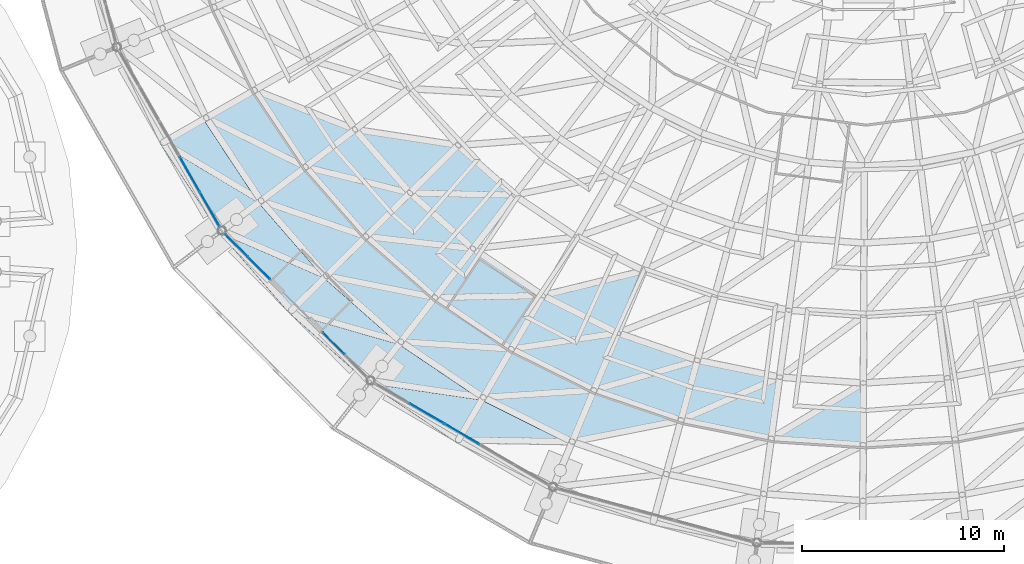
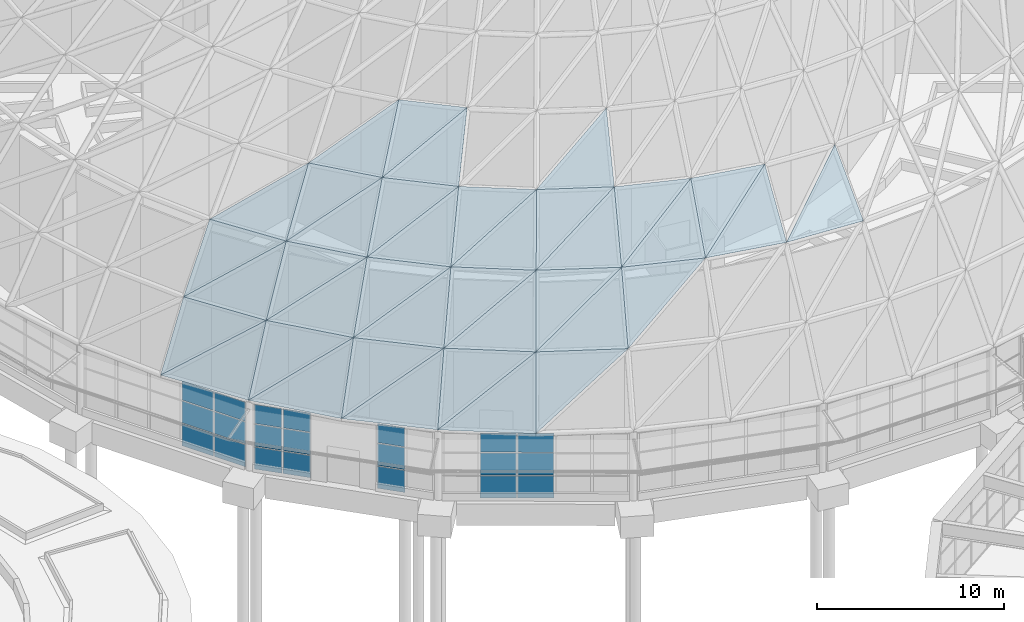
# One storey, part 134 of 226: 59 plates, 4 elements without a shape of their own.
"""IFC4 building model written with IfcOpenShell, lengths in metres."""

from ifc_helpers import new_model, si_unit, direction, frame, origin, origin_2d, place, context, subcontext, project, spatial, polyline, rectangle, outline, extrude, material, layer, layer_set, type_object, element, aggregate, save


model = new_model("IFC4")

# Units and contexts
model_context = context("Model", 3, precision=1e-05, world=origin(), true_north=direction((0.0, 1.0)))
body_context = subcontext(model_context, "Body", "Model", "MODEL_VIEW")
ifc_project = project(units=[si_unit("LENGTHUNIT", "METRE"), si_unit("AREAUNIT", "SQUARE_METRE"), si_unit("VOLUMEUNIT", "CUBIC_METRE"), si_unit("PLANEANGLEUNIT", "RADIAN"), si_unit("MASSUNIT", "GRAM", prefix="KILO")], contexts=[model_context])

# Site, building, storey
site_placement = place(None, origin())
site = spatial("IfcSite", under=ifc_project, at=site_placement, CompositionType="ELEMENT")
building_placement = place(site_placement, origin())
building = spatial("IfcBuilding", under=site, at=building_placement, Name="Ceibo Conservatory and Research Tower", CompositionType="ELEMENT")
storey_placement = place(building_placement, origin())
storey = spatial("IfcBuildingStorey", under=building, at=storey_placement, Name="L00", CompositionType="ELEMENT", Elevation=0.0)

# Curtain wall, plates
ifc_material_1 = material(Name="Aluminium and glass", Category="aluminium")
curtain_wall_type = type_object("IfcCurtainWallType", Name="Drum curtain wall", PredefinedType="NOTDEFINED", material=ifc_material_1)
curtain_wall_1_placement = place(storey_placement, origin())
curtain_wall_1 = element("IfcCurtainWall", 1, at=curtain_wall_1_placement, inside=storey, type_object=curtain_wall_type, Name="Drum curtain wall A-CW14", PredefinedType="NOTDEFINED")
ifc_material_2 = material(Name="Laminated glass", Category="glass")
ifc_layer_1 = layer(ifc_material_2, 0.028076171875)
ifc_layer_set_1 = layer_set([ifc_layer_1], Name="Laminated glass")
plate_type_1 = type_object("IfcPlateType", Name="Drum glass 28", PredefinedType="CURTAIN_PANEL", material=ifc_layer_set_1)
plate_1_placement = place(storey_placement, frame((122.565185546875, 86.57861328125, 0.06005859375), z_axis=(0.0, 0.0, 1.0), x_axis=(0.49621649228, -0.868198821002, 0.0)))
plate_1 = element("IfcPlate", 2, at=plate_1_placement, type_object=plate_type_1, Name="A-CW14 panel 4.1", PredefinedType="CURTAIN_PANEL", context=body_context, shape_type="SweptSolid", body=[
    extrude(rectangle(XDim=1.947021484375, YDim=0.028076171875, at=origin_2d()), origin(), (0.0, 0.0, 1.0), 1.43994140625),
])
plate_2_placement = place(storey_placement, frame((122.565185546875, 86.57861328125, 1.56005859375), z_axis=(0.0, 0.0, 1.0), x_axis=(0.49621649228, -0.868198821002, 0.0)))
plate_2 = element("IfcPlate", 3, at=plate_2_placement, type_object=plate_type_1, Name="A-CW14 panel 4.2", PredefinedType="CURTAIN_PANEL", context=body_context, shape_type="SweptSolid", body=[
    extrude(rectangle(XDim=1.947021484375, YDim=0.028076171875, at=origin_2d()), origin(), (0.0, 0.0, 1.0), 1.425048828125),
])
plate_3_placement = place(storey_placement, frame((122.565185546875, 86.57861328125, 3.044921875), z_axis=(0.0, 0.0, 1.0), x_axis=(0.49621649228, -0.868198821002, 0.0)))
plate_3 = element("IfcPlate", 4, at=plate_3_placement, type_object=plate_type_1, Name="A-CW14 panel 4.3", PredefinedType="CURTAIN_PANEL", context=body_context, shape_type="SweptSolid", body=[
    extrude(rectangle(XDim=1.947021484375, YDim=0.028076171875, at=origin_2d()), origin(), (0.0, 0.0, 1.0), 1.233154296875),
])
plate_4_placement = place(storey_placement, frame((123.5537109375, 84.848876953125, 0.06005859375), z_axis=(0.0, 0.0, 1.0), x_axis=(0.49621649228, -0.868198821002, 0.0)))
plate_4 = element("IfcPlate", 5, at=plate_4_placement, type_object=plate_type_1, Name="A-CW14 panel 5.1", PredefinedType="CURTAIN_PANEL", context=body_context, shape_type="SweptSolid", body=[
    extrude(rectangle(XDim=1.917236328125, YDim=0.028076171875, at=origin_2d()), origin(), (0.0, 0.0, 1.0), 1.43994140625),
])
plate_5_placement = place(storey_placement, frame((123.5537109375, 84.848876953125, 1.56005859375), z_axis=(0.0, 0.0, 1.0), x_axis=(0.49621649228, -0.868198821002, 0.0)))
plate_5 = element("IfcPlate", 6, at=plate_5_placement, type_object=plate_type_1, Name="A-CW14 panel 5.2", PredefinedType="CURTAIN_PANEL", context=body_context, shape_type="SweptSolid", body=[
    extrude(rectangle(XDim=1.917236328125, YDim=0.028076171875, at=origin_2d()), origin(), (0.0, 0.0, 1.0), 1.425048828125),
])
plate_6_placement = place(storey_placement, frame((123.5537109375, 84.848876953125, 3.044921875), z_axis=(0.0, 0.0, 1.0), x_axis=(0.49621649228, -0.868198821002, 0.0)))
plate_6 = element("IfcPlate", 7, at=plate_6_placement, type_object=plate_type_1, Name="A-CW14 panel 5.3", PredefinedType="CURTAIN_PANEL", context=body_context, shape_type="SweptSolid", body=[
    extrude(rectangle(XDim=1.917236328125, YDim=0.028076171875, at=origin_2d()), origin(), (0.0, 0.0, 1.0), 1.233154296875),
])
aggregate(curtain_wall_1, [plate_1, plate_2, plate_3, plate_4, plate_5, plate_6])

curtain_wall_2_placement = place(storey_placement, origin())
curtain_wall_2 = element("IfcCurtainWall", 8, at=curtain_wall_2_placement, inside=storey, type_object=curtain_wall_type, Name="Drum curtain wall A-CW15W", PredefinedType="NOTDEFINED")
plate_7_placement = place(storey_placement, frame((124.8798828125, 83.06201171875, 0.06005859375), z_axis=(0.0, 0.0, 1.0), x_axis=(0.704014749779, -0.71018535052, 0.0)))
plate_7 = element("IfcPlate", 9, at=plate_7_placement, type_object=plate_type_1, Name="A-CW15W panel 1.1", PredefinedType="CURTAIN_PANEL", context=body_context, shape_type="SweptSolid", body=[
    extrude(rectangle(XDim=1.51904296875, YDim=0.028076171875, at=origin_2d()), origin(), (0.0, 0.0, 1.0), 1.43994140625),
])
plate_8_placement = place(storey_placement, frame((124.8798828125, 83.06201171875, 1.56005859375), z_axis=(0.0, 0.0, 1.0), x_axis=(0.704014749779, -0.71018535052, 0.0)))
plate_8 = element("IfcPlate", 10, at=plate_8_placement, type_object=plate_type_1, Name="A-CW15W panel 1.2", PredefinedType="CURTAIN_PANEL", context=body_context, shape_type="SweptSolid", body=[
    extrude(rectangle(XDim=1.51904296875, YDim=0.028076171875, at=origin_2d()), origin(), (0.0, 0.0, 1.0), 1.425048828125),
])
plate_9_placement = place(storey_placement, frame((124.8798828125, 83.06201171875, 3.044921875), z_axis=(0.0, 0.0, 1.0), x_axis=(0.704014749779, -0.71018535052, 0.0)))
plate_9 = element("IfcPlate", 11, at=plate_9_placement, type_object=plate_type_1, Name="A-CW15W panel 1.3", PredefinedType="CURTAIN_PANEL", context=body_context, shape_type="SweptSolid", body=[
    extrude(rectangle(XDim=1.51904296875, YDim=0.028076171875, at=origin_2d()), origin(), (0.0, 0.0, 1.0), 1.233154296875),
])
plate_10_placement = place(storey_placement, frame((125.991455078125, 81.940673828125, 0.06005859375), z_axis=(0.0, 0.0, 1.0), x_axis=(0.704014749779, -0.71018535052, 0.0)))
plate_10 = element("IfcPlate", 12, at=plate_10_placement, type_object=plate_type_1, Name="A-CW15W panel 2.1", PredefinedType="CURTAIN_PANEL", context=body_context, shape_type="SweptSolid", body=[
    extrude(rectangle(XDim=1.51904296875, YDim=0.028076171875, at=origin_2d()), origin(), (0.0, 0.0, 1.0), 1.43994140625),
])
plate_11_placement = place(storey_placement, frame((125.991455078125, 81.940673828125, 1.56005859375), z_axis=(0.0, 0.0, 1.0), x_axis=(0.704014749779, -0.71018535052, 0.0)))
plate_11 = element("IfcPlate", 13, at=plate_11_placement, type_object=plate_type_1, Name="A-CW15W panel 2.2", PredefinedType="CURTAIN_PANEL", context=body_context, shape_type="SweptSolid", body=[
    extrude(rectangle(XDim=1.51904296875, YDim=0.028076171875, at=origin_2d()), origin(), (0.0, 0.0, 1.0), 1.425048828125),
])
plate_12_placement = place(storey_placement, frame((125.991455078125, 81.940673828125, 3.044921875), z_axis=(0.0, 0.0, 1.0), x_axis=(0.704014749779, -0.71018535052, 0.0)))
plate_12 = element("IfcPlate", 14, at=plate_12_placement, type_object=plate_type_1, Name="A-CW15W panel 2.3", PredefinedType="CURTAIN_PANEL", context=body_context, shape_type="SweptSolid", body=[
    extrude(rectangle(XDim=1.51904296875, YDim=0.028076171875, at=origin_2d()), origin(), (0.0, 0.0, 1.0), 1.233154296875),
])
aggregate(curtain_wall_2, [plate_7, plate_8, plate_9, plate_10, plate_11, plate_12])

curtain_wall_3_placement = place(storey_placement, origin())
curtain_wall_3 = element("IfcCurtainWall", 15, at=curtain_wall_3_placement, inside=storey, type_object=curtain_wall_type, Name="Drum curtain wall A-CW15E", PredefinedType="NOTDEFINED")
plate_13_placement = place(storey_placement, frame((129.6796875, 78.219970703125, 0.06005859375), z_axis=(0.0, 0.0, 1.0), x_axis=(0.704014749779, -0.71018535052, 0.0)))
plate_13 = element("IfcPlate", 16, at=plate_13_placement, type_object=plate_type_1, Name="A-CW15E panel 1.1", PredefinedType="CURTAIN_PANEL", context=body_context, shape_type="SweptSolid", body=[
    extrude(rectangle(XDim=1.51904296875, YDim=0.028076171875, at=origin_2d()), origin(), (0.0, 0.0, 1.0), 1.43994140625),
])
plate_14_placement = place(storey_placement, frame((129.6796875, 78.219970703125, 1.56005859375), z_axis=(0.0, 0.0, 1.0), x_axis=(0.704014749779, -0.71018535052, 0.0)))
plate_14 = element("IfcPlate", 17, at=plate_14_placement, type_object=plate_type_1, Name="A-CW15E panel 1.2", PredefinedType="CURTAIN_PANEL", context=body_context, shape_type="SweptSolid", body=[
    extrude(rectangle(XDim=1.51904296875, YDim=0.028076171875, at=origin_2d()), origin(), (0.0, 0.0, 1.0), 1.425048828125),
])
plate_15_placement = place(storey_placement, frame((129.6796875, 78.219970703125, 3.044921875), z_axis=(0.0, 0.0, 1.0), x_axis=(0.704014749779, -0.71018535052, 0.0)))
plate_15 = element("IfcPlate", 18, at=plate_15_placement, type_object=plate_type_1, Name="A-CW15E panel 1.3", PredefinedType="CURTAIN_PANEL", context=body_context, shape_type="SweptSolid", body=[
    extrude(rectangle(XDim=1.51904296875, YDim=0.028076171875, at=origin_2d()), origin(), (0.0, 0.0, 1.0), 1.233154296875),
])
aggregate(curtain_wall_3, [plate_13, plate_14, plate_15])

curtain_wall_4_placement = place(storey_placement, origin())
curtain_wall_4 = element("IfcCurtainWall", 19, at=curtain_wall_4_placement, inside=storey, type_object=curtain_wall_type, Name="Drum curtain wall A-CW16", PredefinedType="NOTDEFINED")
plate_16_placement = place(storey_placement, frame((134.28759765625, 74.75341796875, 0.06005859375), z_axis=(0.0, 0.0, 1.0), x_axis=(0.863835508167, -0.503773971965, 0.0)))
plate_16 = element("IfcPlate", 20, at=plate_16_placement, type_object=plate_type_1, Name="A-CW16 panel 2.1", PredefinedType="CURTAIN_PANEL", context=body_context, shape_type="SweptSolid", body=[
    extrude(rectangle(XDim=1.947021484375, YDim=0.028076171875, at=origin_2d()), origin(), (0.0, 0.0, 1.0), 1.43994140625),
])
plate_17_placement = place(storey_placement, frame((134.28759765625, 74.75341796875, 1.56005859375), z_axis=(0.0, 0.0, 1.0), x_axis=(0.863835508167, -0.503773971965, 0.0)))
plate_17 = element("IfcPlate", 21, at=plate_17_placement, type_object=plate_type_1, Name="A-CW16 panel 2.2", PredefinedType="CURTAIN_PANEL", context=body_context, shape_type="SweptSolid", body=[
    extrude(rectangle(XDim=1.947021484375, YDim=0.028076171875, at=origin_2d()), origin(), (0.0, 0.0, 1.0), 1.425048828125),
])
plate_18_placement = place(storey_placement, frame((134.28759765625, 74.75341796875, 3.044921875), z_axis=(0.0, 0.0, 1.0), x_axis=(0.863835508167, -0.503773971965, 0.0)))
plate_18 = element("IfcPlate", 22, at=plate_18_placement, type_object=plate_type_1, Name="A-CW16 panel 2.3", PredefinedType="CURTAIN_PANEL", context=body_context, shape_type="SweptSolid", body=[
    extrude(rectangle(XDim=1.947021484375, YDim=0.028076171875, at=origin_2d()), origin(), (0.0, 0.0, 1.0), 1.233154296875),
])
plate_19_placement = place(storey_placement, frame((136.021484375, 73.7421875, 0.06005859375), z_axis=(0.0, 0.0, 1.0), x_axis=(0.863835508167, -0.503773971965, 0.0)))
plate_19 = element("IfcPlate", 23, at=plate_19_placement, type_object=plate_type_1, Name="A-CW16 panel 3.1", PredefinedType="CURTAIN_PANEL", context=body_context, shape_type="SweptSolid", body=[
    extrude(rectangle(XDim=1.947021484375, YDim=0.028076171875, at=origin_2d()), origin(), (0.0, 0.0, 1.0), 1.43994140625),
])
plate_20_placement = place(storey_placement, frame((136.021484375, 73.7421875, 1.56005859375), z_axis=(0.0, 0.0, 1.0), x_axis=(0.863835508167, -0.503773971965, 0.0)))
plate_20 = element("IfcPlate", 24, at=plate_20_placement, type_object=plate_type_1, Name="A-CW16 panel 3.2", PredefinedType="CURTAIN_PANEL", context=body_context, shape_type="SweptSolid", body=[
    extrude(rectangle(XDim=1.947021484375, YDim=0.028076171875, at=origin_2d()), origin(), (0.0, 0.0, 1.0), 1.425048828125),
])
plate_21_placement = place(storey_placement, frame((136.021484375, 73.7421875, 3.044921875), z_axis=(0.0, 0.0, 1.0), x_axis=(0.863835508167, -0.503773971965, 0.0)))
plate_21 = element("IfcPlate", 25, at=plate_21_placement, type_object=plate_type_1, Name="A-CW16 panel 3.3", PredefinedType="CURTAIN_PANEL", context=body_context, shape_type="SweptSolid", body=[
    extrude(rectangle(XDim=1.947021484375, YDim=0.028076171875, at=origin_2d()), origin(), (0.0, 0.0, 1.0), 1.233154296875),
])
aggregate(curtain_wall_4, [plate_16, plate_17, plate_18, plate_19, plate_20, plate_21])

# Plates
ifc_layer_2 = layer(ifc_material_2, 0.035888671875)
ifc_layer_set_2 = layer_set([ifc_layer_2], Name="Laminated glass")
plate_type_2 = type_object("IfcPlateType", Name="Gridshell roof glass 36", PredefinedType="SHEET", material=ifc_layer_set_2)
plate_22_placement = place(storey_placement, frame((121.126708984375, 88.06787109375, 4.601806640625), z_axis=(-0.692141464339, -0.45811079424, 0.557740704578), x_axis=(0.551930578574, -0.833890062559, 0.0)))
element("IfcPlate", 26, at=plate_22_placement, inside=storey, type_object=plate_type_2, Name="Glass panel A-P01-055", PredefinedType="SHEET", context=body_context, shape_type="SweptSolid", body=[
    extrude(outline(polyline([(0.0, 0.0), (5.254107049557908, 0.0), (5.093978905781169, 4.37474316134803), (0.0, 0.0)])), origin(), (0.0, 0.0, -1.0), 0.035888671875),
])
plate_23_placement = place(storey_placement, frame((121.126708984375, 88.06787109375, 4.601806640625), z_axis=(-0.692142014895, -0.458047233991, 0.557792221754), x_axis=(0.721730234864, -0.432056442362, 0.540770467664)))
element("IfcPlate", 27, at=plate_23_placement, inside=storey, type_object=plate_type_2, Name="Glass panel A-P01-056", PredefinedType="SHEET", context=body_context, shape_type="SweptSolid", body=[
    extrude(outline(polyline([(0.0, 0.0), (6.714685310593853, 0.0), (2.9711198412687043, 3.2152320905581755), (0.0, 0.0)])), origin(), (0.0, 0.0, -1.0), 0.035888671875),
])
plate_24_placement = place(storey_placement, frame((124.026611328125, 83.6865234375, 4.601806640625), z_axis=(-0.626371647012, -0.544575423436, 0.557759955545), x_axis=(0.656113143191, -0.75466253606, 0.0)))
element("IfcPlate", 28, at=plate_24_placement, inside=storey, type_object=plate_type_2, Name="Glass panel A-P01-057", PredefinedType="SHEET", context=body_context, shape_type="SweptSolid", body=[
    extrude(outline(polyline([(0.0, 0.0), (5.25444399552769, 2.220446049250313e-16), (5.093855868540828, 4.374811345423591), (0.0, 0.0)])), origin(), (0.0, 0.0, -1.0), 0.035888671875),
])
plate_25_placement = place(storey_placement, frame((124.026611328125, 83.6865234375, 4.601806640625), z_axis=(-0.626368621684, -0.544596939449, 0.557742344916), x_axis=(0.77198428106, -0.334070816427, 0.540774407131)))
element("IfcPlate", 29, at=plate_25_placement, inside=storey, type_object=plate_type_2, Name="Glass panel A-P01-058", PredefinedType="SHEET", context=body_context, shape_type="SweptSolid", body=[
    extrude(outline(polyline([(0.0, 0.0), (6.7146363950339705, -4.440892098500626e-16), (2.9716125697932965, 3.2145820078568876), (0.0, 0.0)])), origin(), (0.0, 0.0, -1.0), 0.035888671875),
])
plate_26_placement = place(storey_placement, frame((127.47412109375, 79.72119140625, 4.601806640625), z_axis=(-0.550014692327, -0.621519302072, 0.557850871987), x_axis=(0.748871483831, -0.662715248583, 0.0)))
element("IfcPlate", 30, at=plate_26_placement, inside=storey, type_object=plate_type_2, Name="Glass panel A-P01-059", PredefinedType="SHEET", context=body_context, shape_type="SweptSolid", body=[
    extrude(outline(polyline([(0.0, 0.0), (5.253673369624577, -2.220446049250313e-16), (5.093223811778246, 4.375133432903766), (0.0, 0.0)])), origin(), (0.0, 0.0, -1.0), 0.035888671875),
])
plate_27_placement = place(storey_placement, frame((127.47412109375, 79.72119140625, 4.601806640625), z_axis=(-0.549990034945, -0.621608240048, 0.557776081745), x_axis=(0.808957984747, -0.23049193929, 0.540796121321)))
element("IfcPlate", 31, at=plate_27_placement, inside=storey, type_object=plate_type_2, Name="Glass panel A-P01-060", PredefinedType="SHEET", context=body_context, shape_type="SweptSolid", body=[
    extrude(outline(polyline([(0.0, 0.0), (6.714366787164462, -4.440892098500626e-16), (2.971159863817821, 3.2151161593656585), (0.0, 0.0)])), origin(), (0.0, 0.0, -1.0), 0.035888671875),
])
plate_28_placement = place(storey_placement, frame((131.408447265625, 76.239501953125, 4.601806640625), z_axis=(-0.464034461216, -0.68820271727, 0.557717705247), x_axis=(0.829129233549, -0.559056986428, 0.0)))
element("IfcPlate", 32, at=plate_28_placement, inside=storey, type_object=plate_type_2, Name="Glass panel A-P01-061", PredefinedType="SHEET", context=body_context, shape_type="SweptSolid", body=[
    extrude(outline(polyline([(0.0, 0.0), (5.253947147933437, 0.0), (5.094956012465321, 4.374661708386486), (0.0, 0.0)])), origin(), (0.0, 0.0, -1.0), 0.035888671875),
])
plate_29_placement = place(storey_placement, frame((131.408447265625, 76.239501953125, 4.601806640625), z_axis=(-0.464101988364, -0.688043618421, 0.55785779868), x_axis=(0.83217692506, -0.122917876087, 0.540715046152)))
element("IfcPlate", 33, at=plate_29_placement, inside=storey, type_object=plate_type_2, Name="Glass panel A-P01-062", PredefinedType="SHEET", context=body_context, shape_type="SweptSolid", body=[
    extrude(outline(polyline([(0.0, 0.0), (6.715373543726326, 4.440892098500626e-16), (2.971689587025395, 3.2150579488852484), (0.0, 0.0)])), origin(), (0.0, 0.0, -1.0), 0.035888671875),
])
plate_30_placement = place(storey_placement, frame((135.7646484375, 73.30224609375, 4.601806640625), z_axis=(-0.370334705795, -0.742846401321, 0.557701918347), x_axis=(0.841063821774, -0.013307511619, 0.540772186635)))
element("IfcPlate", 34, at=plate_30_placement, inside=storey, type_object=plate_type_2, Name="Glass panel A-P01-064", PredefinedType="SHEET", context=body_context, shape_type="SweptSolid", body=[
    extrude(outline(polyline([(0.0, 0.0), (6.714663966392372, 4.440892098500626e-16), (2.971836881057083, 3.2142073356224734), (0.0, 0.0)])), origin(), (0.0, 0.0, -1.0), 0.035888671875),
])
plate_31_placement = place(storey_placement, frame((123.24951171875, 89.281982421875, 8.23291015625), z_axis=(-0.645948438145, -0.427477149235, 0.632466522544), x_axis=(0.551877020221, -0.833925508995, 0.0)))
element("IfcPlate", 35, at=plate_31_placement, inside=storey, type_object=plate_type_2, Name="Glass panel A-P02-055", PredefinedType="SHEET", context=body_context, shape_type="SweptSolid", body=[
    extrude(outline(polyline([(0.0, 0.0), (4.934774545942167, 0.0), (4.752936345598222, 4.372916135096226), (0.0, 0.0)])), origin(), (0.0, 0.0, -1.0), 0.035888671875),
])
plate_32_placement = place(storey_placement, frame((123.24951171875, 89.281982421875, 8.23291015625), z_axis=(-0.645950595466, -0.427599933056, 0.632381313345), x_axis=(0.763243671891, -0.377369202936, 0.52445360328)))
element("IfcPlate", 36, at=plate_32_placement, inside=storey, type_object=plate_type_2, Name="Glass panel A-P02-056", PredefinedType="SHEET", context=body_context, shape_type="SweptSolid", body=[
    extrude(outline(polyline([(0.0, 0.0), (6.458544683587278, 0.0), (3.0940111564099237, 3.095009580727189), (0.0, 0.0)])), origin(), (0.0, 0.0, -1.0), 0.035888671875),
])
plate_33_placement = place(storey_placement, frame((125.972900390625, 85.166748046875, 8.23291015625), z_axis=(-0.584554362322, -0.508241482158, 0.632445091138), x_axis=(0.656129711035, -0.754648131448, 0.0)))
element("IfcPlate", 37, at=plate_33_placement, inside=storey, type_object=plate_type_2, Name="Glass panel A-P02-057", PredefinedType="SHEET", context=body_context, shape_type="SweptSolid", body=[
    extrude(outline(polyline([(0.0, 0.0), (4.933940093024697, 0.0), (4.7529268761876, 4.372817348937347), (0.0, 0.0)])), origin(), (0.0, 0.0, -1.0), 0.035888671875),
])
plate_34_placement = place(storey_placement, frame((125.972900390625, 85.166748046875, 8.23291015625), z_axis=(-0.584559010355, -0.508200679396, 0.632473582749), x_axis=(0.806006025814, -0.274401920148, 0.524459600513)))
element("IfcPlate", 38, at=plate_34_placement, inside=storey, type_object=plate_type_2, Name="Glass panel A-P02-058", PredefinedType="SHEET", context=body_context, shape_type="SweptSolid", body=[
    extrude(outline(polyline([(0.0, 0.0), (6.458470829658818, 2.220446049250313e-16), (3.094106091212218, 3.095475432306432), (0.0, 0.0)])), origin(), (0.0, 0.0, -1.0), 0.035888671875),
])
plate_35_placement = place(storey_placement, frame((129.210205078125, 81.443359375, 8.23291015625), z_axis=(-0.51328925119, -0.580128380143, 0.632443837163), x_axis=(0.748933286004, -0.662645405262, 0.0)))
element("IfcPlate", 39, at=plate_35_placement, inside=storey, type_object=plate_type_2, Name="Glass panel A-P02-059", PredefinedType="SHEET", context=body_context, shape_type="SweptSolid", body=[
    extrude(outline(polyline([(0.0, 0.0), (4.934427017314615, 0.0), (4.753419390065305, 4.372811569164403), (0.0, 0.0)])), origin(), (0.0, 0.0, -1.0), 0.035888671875),
])
plate_36_placement = place(storey_placement, frame((129.210205078125, 81.443359375, 8.23291015625), z_axis=(-0.513289222372, -0.580128495809, 0.632443754453), x_axis=(0.834915711577, -0.166998262122, 0.524430486347)))
element("IfcPlate", 40, at=plate_36_placement, inside=storey, type_object=plate_type_2, Name="Glass panel A-P02-060", PredefinedType="SHEET", context=body_context, shape_type="SweptSolid", body=[
    extrude(outline(polyline([(0.0, 0.0), (6.458829376695661, 4.440892098500626e-16), (3.093844952009283, 3.0955485402047636), (0.0, 0.0)])), origin(), (0.0, 0.0, -1.0), 0.035888671875),
])
plate_37_placement = place(storey_placement, frame((132.90576171875, 78.173583984375, 8.23291015625), z_axis=(-0.433180810147, -0.642202144177, 0.632400815728), x_axis=(0.829031591279, -0.559201770975, 0.0)))
element("IfcPlate", 41, at=plate_37_placement, inside=storey, type_object=plate_type_2, Name="Glass panel A-P02-061", PredefinedType="SHEET", context=body_context, shape_type="SweptSolid", body=[
    extrude(outline(polyline([(0.0, 0.0), (4.934750974704819, 0.0), (4.753120369519789, 4.372613297180889), (0.0, 0.0)])), origin(), (0.0, 0.0, -1.0), 0.035888671875),
])
plate_38_placement = place(storey_placement, frame((132.90576171875, 78.173583984375, 8.23291015625), z_axis=(-0.433201588051, -0.642149374648, 0.632440166932), x_axis=(0.849552927366, -0.056588979811, 0.524459255775)))
element("IfcPlate", 42, at=plate_38_placement, inside=storey, type_object=plate_type_2, Name="Glass panel A-P02-062", PredefinedType="SHEET", context=body_context, shape_type="SweptSolid", body=[
    extrude(outline(polyline([(0.0, 0.0), (6.458475074955934, 0.0), (3.094166020248231, 3.095219123047945), (0.0, 0.0)])), origin(), (0.0, 0.0, -1.0), 0.035888671875),
])
plate_39_placement = place(storey_placement, frame((136.996826171875, 75.4140625, 8.23291015625), z_axis=(-0.345593949411, -0.693219451542, 0.632464713746), x_axis=(0.894951125474, -0.446164188403, 0.0)))
element("IfcPlate", 43, at=plate_39_placement, inside=storey, type_object=plate_type_2, Name="Glass panel A-P02-063", PredefinedType="SHEET", context=body_context, shape_type="SweptSolid", body=[
    extrude(outline(polyline([(0.0, 0.0), (4.933546735066851, 0.0), (4.753144774618089, 4.372907797213506), (0.0, 0.0)])), origin(), (0.0, 0.0, -1.0), 0.035888671875),
])
plate_40_placement = place(storey_placement, frame((136.996826171875, 75.4140625, 8.23291015625), z_axis=(-0.345551701873, -0.693295675736, 0.632404243612), x_axis=(0.849675539093, 0.05488606116, 0.524441606432)))
element("IfcPlate", 44, at=plate_40_placement, inside=storey, type_object=plate_type_2, Name="Glass panel A-P02-064", PredefinedType="SHEET", context=body_context, shape_type="SweptSolid", body=[
    extrude(outline(polyline([(0.0, 0.0), (6.458692425825054, 8.881784197001252e-16), (3.0937281788018547, 3.0954131677548906), (0.0, 0.0)])), origin(), (0.0, 0.0, -1.0), 0.035888671875),
])
plate_41_placement = place(storey_placement, frame((141.412109375, 73.212890625, 8.23291015625), z_axis=(-0.252162316105, -0.732408446598, 0.632449234081), x_axis=(0.835243242845, 0.165302258371, 0.524446268611)))
element("IfcPlate", 45, at=plate_41_placement, inside=storey, type_object=plate_type_2, Name="Glass panel A-P02-066", PredefinedType="SHEET", context=body_context, shape_type="SweptSolid", body=[
    extrude(outline(polyline([(0.0, 0.0), (6.458635009877472, 0.0), (3.0946716643430197, 3.094814172155873), (0.0, 0.0)])), origin(), (0.0, 0.0, -1.0), 0.035888671875),
])
plate_42_placement = place(storey_placement, frame((125.655517578125, 90.65673828125, 11.6201171875), z_axis=(-0.594027021184, -0.393228083192, 0.701785987814), x_axis=(0.551985960357, -0.833853404123, 0.0)))
element("IfcPlate", 46, at=plate_42_placement, inside=storey, type_object=plate_type_2, Name="Glass panel A-P03-055", PredefinedType="SHEET", context=body_context, shape_type="SweptSolid", body=[
    extrude(outline(polyline([(0.0, 0.0), (4.571561020077669, 2.220446049250313e-16), (4.37128869689279, 4.372604474401962), (0.0, 0.0)])), origin(), (0.0, 0.0, -1.0), 0.035888671875),
])
plate_43_placement = place(storey_placement, frame((128.178955078125, 86.8447265625, 11.6201171875), z_axis=(-0.537681449836, -0.467446525098, 0.701706779699), x_axis=(0.656096739875, -0.754676796997, 0.0)))
element("IfcPlate", 47, at=plate_43_placement, inside=storey, type_object=plate_type_2, Name="Glass panel A-P03-057", PredefinedType="SHEET", context=body_context, shape_type="SweptSolid", body=[
    extrude(outline(polyline([(0.0, 0.0), (4.571752207339714, -2.220446049250313e-16), (4.371737798924635, 4.3721256395802985), (0.0, 0.0)])), origin(), (0.0, 0.0, -1.0), 0.035888671875),
])
plate_44_placement = place(storey_placement, frame((128.178955078125, 86.8447265625, 11.6201171875), z_axis=(-0.537693821888, -0.467327715494, 0.701776431804), x_axis=(0.83838324185, -0.208055826173, 0.503811783288)))
element("IfcPlate", 48, at=plate_44_placement, inside=storey, type_object=plate_type_2, Name="Glass panel A-P03-058", PredefinedType="SHEET", context=body_context, shape_type="SweptSolid", body=[
    extrude(outline(polyline([(0.0, 0.0), (6.182845137218127, -2.220446049250313e-16), (3.2347754358287153, 2.948899247643614), (0.0, 0.0)])), origin(), (0.0, 0.0, -1.0), 0.035888671875),
])
plate_45_placement = place(storey_placement, frame((131.178466796875, 83.39453125, 11.6201171875), z_axis=(-0.472126503755, -0.533605668145, 0.701684797737), x_axis=(0.748933370034, -0.66264531029, 0.0)))
element("IfcPlate", 49, at=plate_45_placement, inside=storey, type_object=plate_type_2, Name="Glass panel A-P03-059", PredefinedType="SHEET", context=body_context, shape_type="SweptSolid", body=[
    extrude(outline(polyline([(0.0, 0.0), (4.57225775117127, 2.220446049250313e-16), (4.370635782508655, 4.371992790043444), (0.0, 0.0)])), origin(), (0.0, 0.0, -1.0), 0.035888671875),
])
plate_46_placement = place(storey_placement, frame((131.178466796875, 83.39453125, 11.6201171875), z_axis=(-0.472129738311, -0.533592142601, 0.701692906874), x_axis=(0.858326812798, -0.096835250988, 0.50388293938)))
element("IfcPlate", 50, at=plate_46_placement, inside=storey, type_object=plate_type_2, Name="Glass panel A-P03-060", PredefinedType="SHEET", context=body_context, shape_type="SweptSolid", body=[
    extrude(outline(polyline([(0.0, 0.0), (6.1819720235161935, -6.661338147750939e-16), (3.2347127102858355, 2.9482405013438653), (0.0, 0.0)])), origin(), (0.0, 0.0, -1.0), 0.035888671875),
])
plate_47_placement = place(storey_placement, frame((134.602783203125, 80.36474609375, 11.6201171875), z_axis=(-0.398417911244, -0.590588353346, 0.701761045436), x_axis=(0.828997851554, -0.559251787765, 0.0)))
element("IfcPlate", 51, at=plate_47_placement, inside=storey, type_object=plate_type_2, Name="Glass panel A-P03-061", PredefinedType="SHEET", context=body_context, shape_type="SweptSolid", body=[
    extrude(outline(polyline([(0.0, 0.0), (4.571537688269663, 2.220446049250313e-16), (4.370744027312472, 4.372453668072071), (0.0, 0.0)])), origin(), (0.0, 0.0, -1.0), 0.035888671875),
])
plate_48_placement = place(storey_placement, frame((134.602783203125, 80.36474609375, 11.6201171875), z_axis=(-0.398374823994, -0.590700895969, 0.701690780265), x_axis=(0.863641545915, 0.016072341527, 0.503850136457)))
element("IfcPlate", 52, at=plate_48_placement, inside=storey, type_object=plate_type_2, Name="Glass panel A-P03-062", PredefinedType="SHEET", context=body_context, shape_type="SweptSolid", body=[
    extrude(outline(polyline([(0.0, 0.0), (6.182374497854732, 4.440892098500626e-16), (3.2337942636454544, 2.949160394901064), (0.0, 0.0)])), origin(), (0.0, 0.0, -1.0), 0.035888671875),
])
plate_49_placement = place(storey_placement, frame((138.392578125, 77.80810546875, 11.6201171875), z_axis=(-0.317788691391, -0.637593518842, 0.701772650047), x_axis=(0.894992486228, -0.446081214125, 0.0)))
element("IfcPlate", 53, at=plate_49_placement, inside=storey, type_object=plate_type_2, Name="Glass panel A-P03-063", PredefinedType="SHEET", context=body_context, shape_type="SweptSolid", body=[
    extrude(outline(polyline([(0.0, 0.0), (4.572151251091194, 0.0), (4.371207409454124, 4.3725238291334065), (0.0, 0.0)])), origin(), (0.0, 0.0, -1.0), 0.035888671875),
])
plate_50_placement = place(storey_placement, frame((138.392578125, 77.80810546875, 11.6201171875), z_axis=(-0.317770540175, -0.637627010113, 0.701750439808), x_axis=(0.85415137095, 0.128807811568, 0.503819395402)))
element("IfcPlate", 54, at=plate_50_placement, inside=storey, type_object=plate_type_2, Name="Glass panel A-P03-064", PredefinedType="SHEET", context=body_context, shape_type="SweptSolid", body=[
    extrude(outline(polyline([(0.0, 0.0), (6.182751721750283, -2.220446049250313e-16), (3.235066064309141, 2.948392228532843), (0.0, 0.0)])), origin(), (0.0, 0.0, -1.0), 0.035888671875),
])
plate_51_placement = place(storey_placement, frame((142.484619140625, 75.7685546875, 11.6201171875), z_axis=(-0.23192551154, -0.673630407021, 0.701735442908), x_axis=(0.945528961804, -0.325537989165, 0.0)))
element("IfcPlate", 55, at=plate_51_placement, inside=storey, type_object=plate_type_2, Name="Glass panel A-P03-065", PredefinedType="SHEET", context=body_context, shape_type="SweptSolid", body=[
    extrude(outline(polyline([(0.0, 0.0), (4.5710090954051035, 1.1102230246251565e-16), (4.370604295605408, 4.3722988921511075), (0.0, 0.0)])), origin(), (0.0, 0.0, -1.0), 0.035888671875),
])
plate_52_placement = place(storey_placement, frame((142.484619140625, 75.7685546875, 11.6201171875), z_axis=(-0.231964374119, -0.673576823102, 0.701774032378), x_axis=(0.830024210101, 0.23911868837, 0.503867108987)))
element("IfcPlate", 56, at=plate_52_placement, inside=storey, type_object=plate_type_2, Name="Glass panel A-P03-066", PredefinedType="SHEET", context=body_context, shape_type="SweptSolid", body=[
    extrude(outline(polyline([(0.0, 0.0), (6.182166247446785, -4.440892098500626e-16), (3.234536384486591, 2.949087560799737), (0.0, 0.0)])), origin(), (0.0, 0.0, -1.0), 0.035888671875),
])
plate_53_placement = place(storey_placement, frame((146.806640625, 74.280517578125, 11.6201171875), z_axis=(-0.142080610733, -0.698154069287, 0.701707913303), x_axis=(0.979913855393, -0.19942125265, 0.0)))
element("IfcPlate", 57, at=plate_53_placement, inside=storey, type_object=plate_type_2, Name="Glass panel A-P03-067", PredefinedType="SHEET", context=body_context, shape_type="SweptSolid", body=[
    extrude(outline(polyline([(0.0, 0.0), (4.572557950849264, 0.0), (4.370501352476871, 4.372132491034286), (0.0, 0.0)])), origin(), (0.0, 0.0, -1.0), 0.035888671875),
])
plate_54_placement = place(storey_placement, frame((146.806640625, 74.280517578125, 11.6201171875), z_axis=(-0.142104119468, -0.698129251634, 0.701727844141), x_axis=(0.791742223068, 0.345320929694, 0.503882632888)))
element("IfcPlate", 58, at=plate_54_placement, inside=storey, type_object=plate_type_2, Name="Glass panel A-P03-068", PredefinedType="SHEET", context=body_context, shape_type="SweptSolid", body=[
    extrude(outline(polyline([(0.0, 0.0), (6.181975783773326, 2.220446049250313e-16), (3.2346956245776015, 2.9485426743439005), (0.0, 0.0)])), origin(), (0.0, 0.0, -1.0), 0.035888671875),
])
plate_55_placement = place(storey_placement, frame((151.287353515625, 73.36865234375, 11.6201171875), z_axis=(-0.049770125689, -0.710708262709, 0.701724091012), x_axis=(0.997556957746, -0.06985782743, 0.0)))
element("IfcPlate", 59, at=plate_55_placement, inside=storey, type_object=plate_type_2, Name="Glass panel A-P03-069", PredefinedType="SHEET", context=body_context, shape_type="SweptSolid", body=[
    extrude(outline(polyline([(0.0, 0.0), (4.571226292737238, 0.0), (4.369341781045656, 4.372230273173639), (0.0, 0.0)])), origin(), (0.0, 0.0, -1.0), 0.035888671875),
])
plate_56_placement = place(storey_placement, frame((130.627197265625, 88.70556640625, 14.735107421875), z_axis=(-0.486112916416, -0.422497022382, 0.764977449715), x_axis=(0.655993150499, -0.754766842474, 0.0)))
element("IfcPlate", 60, at=plate_56_placement, inside=storey, type_object=plate_type_2, Name="Glass panel A-P04-057", PredefinedType="SHEET", context=body_context, shape_type="SweptSolid", body=[
    extrude(outline(polyline([(0.0, 0.0), (4.169786773565685, -4.440892098500626e-16), (3.9498270400957947, 4.371776953306844), (0.0, 0.0)])), origin(), (0.0, 0.0, -1.0), 0.035888671875),
])
plate_57_placement = place(storey_placement, frame((133.362548828125, 85.558349609375, 14.735107421875), z_axis=(-0.42674863538, -0.482303274348, 0.765028858119), x_axis=(0.748922781162, -0.662657277827, 0.0)))
element("IfcPlate", 61, at=plate_57_placement, inside=storey, type_object=plate_type_2, Name="Glass panel A-P04-059", PredefinedType="SHEET", context=body_context, shape_type="SweptSolid", body=[
    extrude(outline(polyline([(0.0, 0.0), (4.168747955104435, -2.220446049250313e-16), (3.949765794562444, 4.372191495188925), (0.0, 0.0)])), origin(), (0.0, 0.0, -1.0), 0.035888671875),
])
plate_58_placement = place(storey_placement, frame((133.362548828125, 85.558349609375, 14.735107421875), z_axis=(-0.426726001713, -0.4823950762, 0.764983601079), x_axis=(0.878221778533, -0.019060250914, 0.47787363868)))
element("IfcPlate", 62, at=plate_58_placement, inside=storey, type_object=plate_type_2, Name="Glass panel A-P04-060", PredefinedType="SHEET", context=body_context, shape_type="SweptSolid", body=[
    extrude(outline(polyline([(0.0, 0.0), (5.892088619708453, 0.0), (3.3906216276125063, 2.7684835184951595), (0.0, 0.0)])), origin(), (0.0, 0.0, -1.0), 0.035888671875),
])
plate_59_placement = place(storey_placement, frame((139.942138671875, 80.464111328125, 14.735107421875), z_axis=(-0.287285678344, -0.576457175766, 0.764960171203), x_axis=(0.895012011774, -0.446042037011, 0.0)))
element("IfcPlate", 63, at=plate_59_placement, inside=storey, type_object=plate_type_2, Name="Glass panel A-P04-063", PredefinedType="SHEET", context=body_context, shape_type="SweptSolid", body=[
    extrude(outline(polyline([(0.0, 0.0), (4.169156685512921, 2.220446049250313e-16), (3.949928547307043, 4.371637657318493), (0.0, 0.0)])), origin(), (0.0, 0.0, -1.0), 0.035888671875),
])

save(model, "model.ifc")
